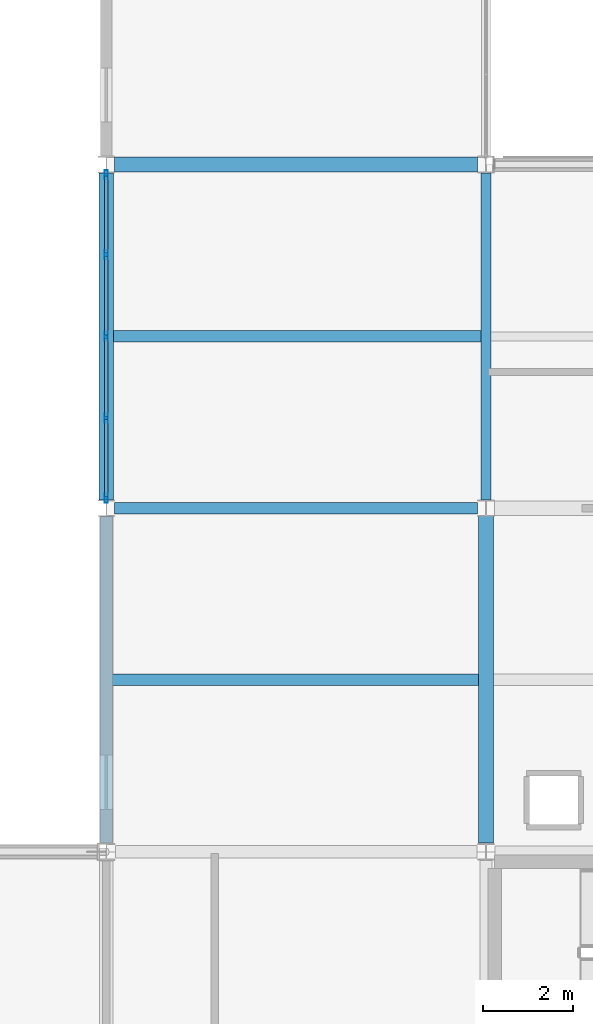
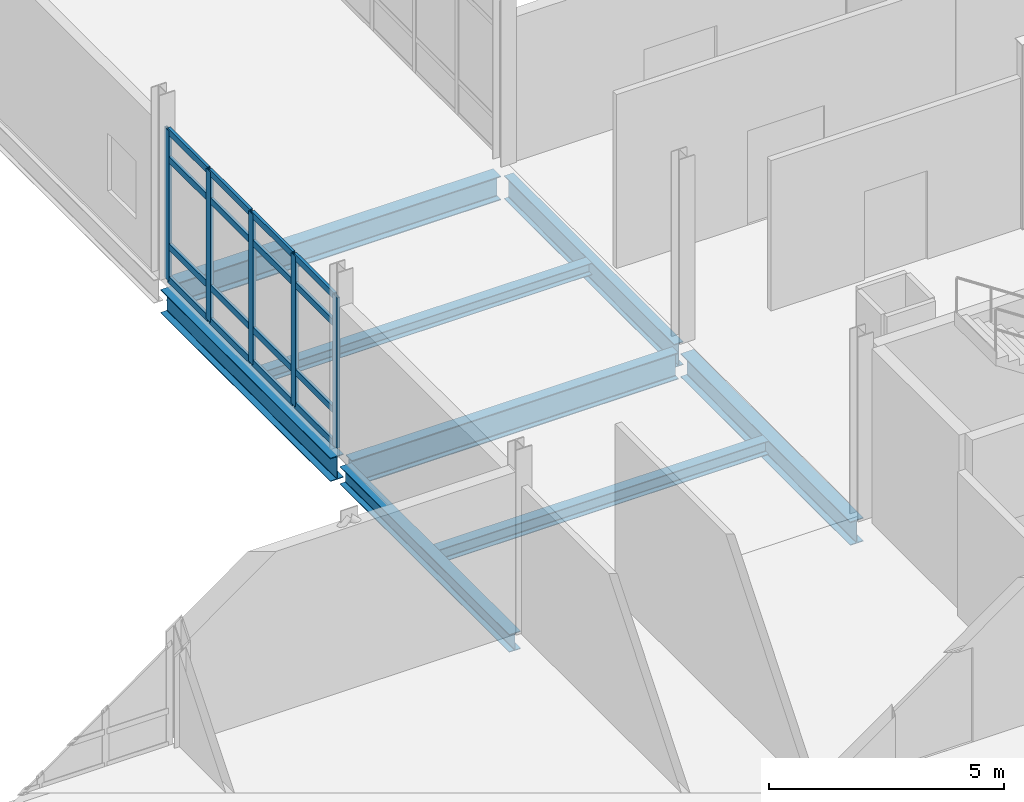
# One storey, part 43 of 186: 21 members, 8 beams, 1 element without a shape of its own.
"""IFC4 building model written with IfcOpenShell, lengths in metres."""

from ifc_helpers import new_model, si_unit, direction, frame, origin, origin_2d, place, context, subcontext, project, spatial, hollow_rectangle, i_section, extrude, material, layer, layer_set, material_profile, profile_set, type_object, element, aggregate, save


model = new_model("IFC4")

# Units and contexts
model_context = context("Model", 3, precision=1e-05, world=origin(), true_north=direction((0.0, 1.0)))
body_context = subcontext(model_context, "Body", "Model", "MODEL_VIEW")
ifc_project = project(units=[si_unit("LENGTHUNIT", "METRE"), si_unit("AREAUNIT", "SQUARE_METRE"), si_unit("VOLUMEUNIT", "CUBIC_METRE"), si_unit("PLANEANGLEUNIT", "RADIAN"), si_unit("MASSUNIT", "GRAM", prefix="KILO")], contexts=[model_context])

# Site, building, storey
site_placement = place(None, origin())
site = spatial("IfcSite", under=ifc_project, at=site_placement, CompositionType="ELEMENT")
building_placement = place(site_placement, origin())
building = spatial("IfcBuilding", under=site, at=building_placement, Name="Calvrana Isthmian Art Gallery", CompositionType="ELEMENT")
storey_placement = place(building_placement, frame((0.0, 0.0, 5.39990234375)))
storey = spatial("IfcBuildingStorey", under=building, at=storey_placement, Name="L01", CompositionType="ELEMENT", Elevation=5.39990234375)

# Beams
ifc_material_1 = material(Name="Steel ASTM A992 Gr 50", Category="steel")
ifc_material_profile_1 = material_profile(ifc_material_1, i_section(OverallWidth=0.279052734375, OverallDepth=0.4619140625, WebThickness=0.0107421875, FlangeThickness=0.017333984375, FilletRadius=0.02001953125, at=origin_2d()), Name="W18X76")
ifc_profile_set_1 = profile_set([ifc_material_profile_1], Name="Steel ASTM A992 Gr 50")
beam_type_1 = type_object("IfcBeamType", Name="BM-G-W18X76", PredefinedType="BEAM", material=ifc_profile_set_1)
beam_1_placement = place(storey_placement, frame((55.199951171875, 47.0029296875, -0.475830078125), z_axis=(0.0, 1.0, 0.0), x_axis=(-1.0, 0.0, 0.0)))
element("IfcBeam", 1, at=beam_1_placement, inside=storey, type_object=beam_type_1, Name="Girder Y L01 08/G-H", PredefinedType="BEAM", context=body_context, shape_type="SweptSolid", body=[
    extrude(i_section(OverallWidth=0.279052734375, OverallDepth=0.4619140625, WebThickness=0.0107421875, FlangeThickness=0.017333984375, FilletRadius=0.02001953125, at=origin_2d()), origin(), (0.0, 0.0, 1.0), 7.215576171875),
])
ifc_material_profile_2 = material_profile(ifc_material_1, i_section(OverallWidth=0.324951171875, OverallDepth=0.612060546875, WebThickness=0.0126953125, FlangeThickness=0.01904296875, FilletRadius=0.02197265625, at=origin_2d()), Name="W24X104")
ifc_profile_set_2 = profile_set([ifc_material_profile_2], Name="Steel ASTM A992 Gr 50")
beam_type_2 = type_object("IfcBeamType", Name="BM-G-W24X104", PredefinedType="BEAM", material=ifc_profile_set_2)
beam_2_placement = place(storey_placement, frame((55.199951171875, 54.58154296875, -0.55078125), z_axis=(0.0, 1.0, 0.0), x_axis=(-1.0, 0.0, 0.0)))
element("IfcBeam", 2, at=beam_2_placement, inside=storey, type_object=beam_type_2, Name="Girder Y L01 08/H-I", PredefinedType="BEAM", context=body_context, shape_type="SweptSolid", body=[
    extrude(i_section(OverallWidth=0.324951171875, OverallDepth=0.612060546875, WebThickness=0.0126953125, FlangeThickness=0.01904296875, FilletRadius=0.02197265625, at=origin_2d()), origin(), (0.0, 0.0, 1.0), 7.234375),
])
beam_3_placement = place(storey_placement, frame((63.60009765625, 46.9970703125, -0.55078125), z_axis=(0.0, 1.0, 0.0), x_axis=(-1.0, 0.0, 0.0)))
element("IfcBeam", 3, at=beam_3_placement, inside=storey, type_object=beam_type_2, Name="Girder Y L01 09/G-H", PredefinedType="BEAM", context=body_context, shape_type="SweptSolid", body=[
    extrude(i_section(OverallWidth=0.324951171875, OverallDepth=0.612060546875, WebThickness=0.0126953125, FlangeThickness=0.01904296875, FilletRadius=0.02197265625, at=origin_2d()), origin(), (0.0, 0.0, 1.0), 7.224853515625),
])
ifc_material_profile_3 = material_profile(ifc_material_1, i_section(OverallWidth=0.327880859375, OverallDepth=0.6220703125, WebThickness=0.015380859375, FlangeThickness=0.0244140625, FilletRadius=0.02197265625, at=origin_2d()), Name="W24X131")
ifc_profile_set_3 = profile_set([ifc_material_profile_3], Name="Steel ASTM A992 Gr 50")
beam_type_3 = type_object("IfcBeamType", Name="BM-G-W24X131", PredefinedType="BEAM", material=ifc_profile_set_3)
beam_4_placement = place(storey_placement, frame((55.386474609375, 62.0, -0.555908203125), z_axis=(1.0, 0.0, 0.0), x_axis=(0.0, 1.0, 0.0)))
element("IfcBeam", 4, at=beam_4_placement, inside=storey, type_object=beam_type_3, Name="Girder X L01 08-09/I", PredefinedType="BEAM", context=body_context, shape_type="SweptSolid", body=[
    extrude(i_section(OverallWidth=0.327880859375, OverallDepth=0.6220703125, WebThickness=0.015380859375, FlangeThickness=0.0244140625, FilletRadius=0.02197265625, at=origin_2d()), origin(), (0.0, 0.0, 1.0), 8.028076171875),
])
ifc_material_profile_4 = material_profile(ifc_material_1, i_section(OverallWidth=0.22802734375, OverallDepth=0.60693359375, WebThickness=0.01123046875, FlangeThickness=0.017333984375, FilletRadius=0.02197265625, at=origin_2d()), Name="W24X76")
ifc_profile_set_4 = profile_set([ifc_material_profile_4], Name="Steel ASTM A992 Gr 50")
beam_type_4 = type_object("IfcBeamType", Name="BM-G-W24X76", PredefinedType="BEAM", material=ifc_profile_set_4)
beam_5_placement = place(storey_placement, frame((63.60009765625, 54.577880859375, -0.54833984375), z_axis=(0.0, 1.0, 0.0), x_axis=(-1.0, 0.0, 0.0)))
element("IfcBeam", 5, at=beam_5_placement, inside=storey, type_object=beam_type_4, Name="Girder Y L01 09/H-I", PredefinedType="BEAM", context=body_context, shape_type="SweptSolid", body=[
    extrude(i_section(OverallWidth=0.22802734375, OverallDepth=0.60693359375, WebThickness=0.01123046875, FlangeThickness=0.017333984375, FilletRadius=0.02197265625, at=origin_2d()), origin(), (0.0, 0.0, 1.0), 7.24072265625),
])
ifc_material_profile_5 = material_profile(ifc_material_1, i_section(OverallWidth=0.257080078125, OverallDepth=0.693115234375, WebThickness=0.014404296875, FlangeThickness=0.023681640625, FilletRadius=0.02392578125, at=origin_2d()), Name="W27X114")
ifc_profile_set_5 = profile_set([ifc_material_profile_5], Name="Steel ASTM A992 Gr 50")
beam_type_5 = type_object("IfcBeamType", Name="BM-G-W27X114", PredefinedType="BEAM", material=ifc_profile_set_5)
beam_6_placement = place(storey_placement, frame((55.385498046875, 54.39990234375, -0.59130859375), z_axis=(1.0, 0.0, 0.0), x_axis=(0.0, 1.0, 0.0)))
element("IfcBeam", 6, at=beam_6_placement, inside=storey, type_object=beam_type_5, Name="Girder X L01 08-09/H", PredefinedType="BEAM", context=body_context, shape_type="SweptSolid", body=[
    extrude(i_section(OverallWidth=0.257080078125, OverallDepth=0.693115234375, WebThickness=0.014404296875, FlangeThickness=0.023681640625, FilletRadius=0.02392578125, at=origin_2d()), origin(), (0.0, 0.0, 1.0), 8.030517578125),
])
ifc_material_profile_6 = material_profile(ifc_material_1, i_section(OverallWidth=0.25390625, OverallDepth=0.306884765625, WebThickness=0.0087890625, FlangeThickness=0.0146484375, FilletRadius=0.01611328125, at=origin_2d()), Name="W12X53")
ifc_profile_set_6 = profile_set([ifc_material_profile_6], Name="Steel ASTM A992 Gr 50")
beam_type_6 = type_object("IfcBeamType", Name="BM-J-W12X53", PredefinedType="JOIST", material=ifc_profile_set_6)
beam_7_placement = place(storey_placement, frame((55.362548828125, 58.199951171875, -0.3984375), z_axis=(1.0, 0.0, 0.0), x_axis=(0.0, 1.0, 0.0)))
element("IfcBeam", 7, at=beam_7_placement, inside=storey, type_object=beam_type_6, Name="Composite joist L01 bay 07-07", PredefinedType="JOIST", context=body_context, shape_type="SweptSolid", body=[
    extrude(i_section(OverallWidth=0.25390625, OverallDepth=0.306884765625, WebThickness=0.0087890625, FlangeThickness=0.0146484375, FilletRadius=0.01611328125, at=origin_2d()), origin(), (0.0, 0.0, 1.0), 8.12353515625),
])
ifc_material_profile_7 = material_profile(ifc_material_1, i_section(OverallWidth=0.25390625, OverallDepth=0.35302734375, WebThickness=0.009521484375, FlangeThickness=0.016357421875, FilletRadius=0.01806640625, at=origin_2d()), Name="W14X61")
ifc_profile_set_7 = profile_set([ifc_material_profile_7], Name="Steel ASTM A992 Gr 50")
beam_type_7 = type_object("IfcBeamType", Name="BM-J-W14X61", PredefinedType="JOIST", material=ifc_profile_set_7)
beam_8_placement = place(storey_placement, frame((55.339599609375, 50.60009765625, -0.42138671875), z_axis=(1.0, 0.0, 0.0), x_axis=(0.0, 1.0, 0.0)))
element("IfcBeam", 8, at=beam_8_placement, inside=storey, type_object=beam_type_7, Name="Composite joist L01 bay 07-06", PredefinedType="JOIST", context=body_context, shape_type="SweptSolid", body=[
    extrude(i_section(OverallWidth=0.25390625, OverallDepth=0.35302734375, WebThickness=0.009521484375, FlangeThickness=0.016357421875, FilletRadius=0.01806640625, at=origin_2d()), origin(), (0.0, 0.0, 1.0), 8.097900390625),
])

# Curtain wall, members
ifc_material_2 = material(Name="Anodized bronze aluminium 6063-T6", Category="aluminium")
ifc_layer = layer(ifc_material_2, 0.179931640625, Name="Anodized bronze aluminium 6063-T6")
ifc_layer_set = layer_set([ifc_layer], Name="Anodized bronze aluminium 6063-T6")
curtain_wall_type = type_object("IfcCurtainWallType", Name="CW-STICK-072X39", PredefinedType="NOTDEFINED", material=ifc_layer_set)
curtain_wall_placement = place(storey_placement, origin())
curtain_wall = element("IfcCurtainWall", 9, at=curtain_wall_placement, inside=storey, type_object=curtain_wall_type, Name="Curtain wall CW-123", PredefinedType="NOTDEFINED")
ifc_material_profile_8 = material_profile(ifc_material_2, hollow_rectangle(XDim=0.070068359375, YDim=0.199951171875, WallThickness=0.0048828125, at=origin_2d()), Name="CWM70X200")
ifc_profile_set_8 = profile_set([ifc_material_profile_8], Name="Anodized bronze aluminium 6063-T6")
member_type_1 = type_object("IfcMemberType", Name="CWM-CWM70X200", PredefinedType="MULLION", material=ifc_profile_set_8)
member_1_placement = place(storey_placement, frame((55.199951171875, 54.618896484375, 0.0), z_axis=(0.0, 0.0, 1.0), x_axis=(-1.0, 0.0, 0.0)))
member_1 = element("IfcMember", 10, at=member_1_placement, type_object=member_type_1, Name="CW-123 mullion 1", PredefinedType="MULLION", context=body_context, shape_type="SweptSolid", body=[
    extrude(hollow_rectangle(XDim=0.070068359375, YDim=0.199951171875, WallThickness=0.0048828125, at=origin_2d()), origin(), (0.0, 0.0, 1.0), 3.9130859375),
])
member_2_placement = place(storey_placement, frame((55.199951171875, 56.391357421875, 0.0), z_axis=(0.0, 0.0, 1.0), x_axis=(-1.0, 0.0, 0.0)))
member_2 = element("IfcMember", 11, at=member_2_placement, type_object=member_type_1, Name="CW-123 mullion 2", PredefinedType="MULLION", context=body_context, shape_type="SweptSolid", body=[
    extrude(hollow_rectangle(XDim=0.070068359375, YDim=0.199951171875, WallThickness=0.0048828125, at=origin_2d()), origin(), (0.0, 0.0, 1.0), 3.9130859375),
])
member_3_placement = place(storey_placement, frame((55.199951171875, 58.19873046875, 0.0), z_axis=(0.0, 0.0, 1.0), x_axis=(-1.0, 0.0, 0.0)))
member_3 = element("IfcMember", 12, at=member_3_placement, type_object=member_type_1, Name="CW-123 mullion 3", PredefinedType="MULLION", context=body_context, shape_type="SweptSolid", body=[
    extrude(hollow_rectangle(XDim=0.070068359375, YDim=0.199951171875, WallThickness=0.0048828125, at=origin_2d()), origin(), (0.0, 0.0, 1.0), 3.9130859375),
])
member_4_placement = place(storey_placement, frame((55.199951171875, 60.006103515625, 0.0), z_axis=(0.0, 0.0, 1.0), x_axis=(-1.0, 0.0, 0.0)))
member_4 = element("IfcMember", 13, at=member_4_placement, type_object=member_type_1, Name="CW-123 mullion 4", PredefinedType="MULLION", context=body_context, shape_type="SweptSolid", body=[
    extrude(hollow_rectangle(XDim=0.070068359375, YDim=0.199951171875, WallThickness=0.0048828125, at=origin_2d()), origin(), (0.0, 0.0, 1.0), 3.9130859375),
])
member_5_placement = place(storey_placement, frame((55.199951171875, 61.778564453125, 0.0), z_axis=(0.0, 0.0, 1.0), x_axis=(-1.0, 0.0, 0.0)))
member_5 = element("IfcMember", 14, at=member_5_placement, type_object=member_type_1, Name="CW-123 mullion 5", PredefinedType="MULLION", context=body_context, shape_type="SweptSolid", body=[
    extrude(hollow_rectangle(XDim=0.070068359375, YDim=0.199951171875, WallThickness=0.0048828125, at=origin_2d()), origin(), (0.0, 0.0, 1.0), 3.9130859375),
])
ifc_material_profile_9 = material_profile(ifc_material_2, hollow_rectangle(XDim=0.070068359375, YDim=0.169921875, WallThickness=0.00439453125, at=origin_2d()), Name="CWT70X170")
ifc_profile_set_9 = profile_set([ifc_material_profile_9], Name="Anodized bronze aluminium 6063-T6")
member_type_2 = type_object("IfcMemberType", Name="CWT-CWT70X170", PredefinedType="USERDEFINED", material=ifc_profile_set_9)
member_6_placement = place(storey_placement, frame((55.199951171875, 54.654052734375, 0.03515625), z_axis=(0.0, 1.0, 0.0), x_axis=(-1.0, 0.0, 0.0)))
member_6 = element("IfcMember", 15, at=member_6_placement, type_object=member_type_2, Name="CW-123 transom 1.1", ObjectType="TRANSOM", PredefinedType="USERDEFINED", context=body_context, shape_type="SweptSolid", body=[
    extrude(hollow_rectangle(XDim=0.070068359375, YDim=0.169921875, WallThickness=0.00439453125, at=origin_2d()), origin(), (0.0, 0.0, 1.0), 1.702392578125),
])
member_7_placement = place(storey_placement, frame((55.199951171875, 54.654052734375, 0.900146484375), z_axis=(0.0, 1.0, 0.0), x_axis=(-1.0, 0.0, 0.0)))
member_7 = element("IfcMember", 16, at=member_7_placement, type_object=member_type_2, Name="CW-123 transom 1.2", ObjectType="TRANSOM", PredefinedType="USERDEFINED", context=body_context, shape_type="SweptSolid", body=[
    extrude(hollow_rectangle(XDim=0.070068359375, YDim=0.169921875, WallThickness=0.00439453125, at=origin_2d()), origin(), (0.0, 0.0, 1.0), 1.702392578125),
])
member_8_placement = place(storey_placement, frame((55.199951171875, 54.654052734375, 3.1630859375), z_axis=(0.0, 1.0, 0.0), x_axis=(-1.0, 0.0, 0.0)))
member_8 = element("IfcMember", 17, at=member_8_placement, type_object=member_type_2, Name="CW-123 transom 1.3", ObjectType="TRANSOM", PredefinedType="USERDEFINED", context=body_context, shape_type="SweptSolid", body=[
    extrude(hollow_rectangle(XDim=0.070068359375, YDim=0.169921875, WallThickness=0.00439453125, at=origin_2d()), origin(), (0.0, 0.0, 1.0), 1.702392578125),
])
member_9_placement = place(storey_placement, frame((55.199951171875, 54.654052734375, 3.878173828125), z_axis=(0.0, 1.0, 0.0), x_axis=(-1.0, 0.0, 0.0)))
member_9 = element("IfcMember", 18, at=member_9_placement, type_object=member_type_2, Name="CW-123 transom 1.4", ObjectType="TRANSOM", PredefinedType="USERDEFINED", context=body_context, shape_type="SweptSolid", body=[
    extrude(hollow_rectangle(XDim=0.070068359375, YDim=0.169921875, WallThickness=0.00439453125, at=origin_2d()), origin(), (0.0, 0.0, 1.0), 1.702392578125),
])
member_10_placement = place(storey_placement, frame((55.199951171875, 56.42626953125, 0.03515625), z_axis=(0.0, 1.0, 0.0), x_axis=(-1.0, 0.0, 0.0)))
member_10 = element("IfcMember", 19, at=member_10_placement, type_object=member_type_2, Name="CW-123 transom 2.1", ObjectType="TRANSOM", PredefinedType="USERDEFINED", context=body_context, shape_type="SweptSolid", body=[
    extrude(hollow_rectangle(XDim=0.070068359375, YDim=0.169921875, WallThickness=0.00439453125, at=origin_2d()), origin(), (0.0, 0.0, 1.0), 1.737548828125),
])
member_11_placement = place(storey_placement, frame((55.199951171875, 56.42626953125, 0.900146484375), z_axis=(0.0, 1.0, 0.0), x_axis=(-1.0, 0.0, 0.0)))
member_11 = element("IfcMember", 20, at=member_11_placement, type_object=member_type_2, Name="CW-123 transom 2.2", ObjectType="TRANSOM", PredefinedType="USERDEFINED", context=body_context, shape_type="SweptSolid", body=[
    extrude(hollow_rectangle(XDim=0.070068359375, YDim=0.169921875, WallThickness=0.00439453125, at=origin_2d()), origin(), (0.0, 0.0, 1.0), 1.737548828125),
])
member_12_placement = place(storey_placement, frame((55.199951171875, 56.42626953125, 3.1630859375), z_axis=(0.0, 1.0, 0.0), x_axis=(-1.0, 0.0, 0.0)))
member_12 = element("IfcMember", 21, at=member_12_placement, type_object=member_type_2, Name="CW-123 transom 2.3", ObjectType="TRANSOM", PredefinedType="USERDEFINED", context=body_context, shape_type="SweptSolid", body=[
    extrude(hollow_rectangle(XDim=0.070068359375, YDim=0.169921875, WallThickness=0.00439453125, at=origin_2d()), origin(), (0.0, 0.0, 1.0), 1.737548828125),
])
member_13_placement = place(storey_placement, frame((55.199951171875, 56.42626953125, 3.878173828125), z_axis=(0.0, 1.0, 0.0), x_axis=(-1.0, 0.0, 0.0)))
member_13 = element("IfcMember", 22, at=member_13_placement, type_object=member_type_2, Name="CW-123 transom 2.4", ObjectType="TRANSOM", PredefinedType="USERDEFINED", context=body_context, shape_type="SweptSolid", body=[
    extrude(hollow_rectangle(XDim=0.070068359375, YDim=0.169921875, WallThickness=0.00439453125, at=origin_2d()), origin(), (0.0, 0.0, 1.0), 1.737548828125),
])
member_14_placement = place(storey_placement, frame((55.199951171875, 58.233642578125, 0.03515625), z_axis=(0.0, 1.0, 0.0), x_axis=(-1.0, 0.0, 0.0)))
member_14 = element("IfcMember", 23, at=member_14_placement, type_object=member_type_2, Name="CW-123 transom 3.1", ObjectType="TRANSOM", PredefinedType="USERDEFINED", context=body_context, shape_type="SweptSolid", body=[
    extrude(hollow_rectangle(XDim=0.070068359375, YDim=0.169921875, WallThickness=0.00439453125, at=origin_2d()), origin(), (0.0, 0.0, 1.0), 1.737548828125),
])
member_15_placement = place(storey_placement, frame((55.199951171875, 58.233642578125, 0.900146484375), z_axis=(0.0, 1.0, 0.0), x_axis=(-1.0, 0.0, 0.0)))
member_15 = element("IfcMember", 24, at=member_15_placement, type_object=member_type_2, Name="CW-123 transom 3.2", ObjectType="TRANSOM", PredefinedType="USERDEFINED", context=body_context, shape_type="SweptSolid", body=[
    extrude(hollow_rectangle(XDim=0.070068359375, YDim=0.169921875, WallThickness=0.00439453125, at=origin_2d()), origin(), (0.0, 0.0, 1.0), 1.737548828125),
])
member_16_placement = place(storey_placement, frame((55.199951171875, 58.233642578125, 3.1630859375), z_axis=(0.0, 1.0, 0.0), x_axis=(-1.0, 0.0, 0.0)))
member_16 = element("IfcMember", 25, at=member_16_placement, type_object=member_type_2, Name="CW-123 transom 3.3", ObjectType="TRANSOM", PredefinedType="USERDEFINED", context=body_context, shape_type="SweptSolid", body=[
    extrude(hollow_rectangle(XDim=0.070068359375, YDim=0.169921875, WallThickness=0.00439453125, at=origin_2d()), origin(), (0.0, 0.0, 1.0), 1.737548828125),
])
member_17_placement = place(storey_placement, frame((55.199951171875, 58.233642578125, 3.878173828125), z_axis=(0.0, 1.0, 0.0), x_axis=(-1.0, 0.0, 0.0)))
member_17 = element("IfcMember", 26, at=member_17_placement, type_object=member_type_2, Name="CW-123 transom 3.4", ObjectType="TRANSOM", PredefinedType="USERDEFINED", context=body_context, shape_type="SweptSolid", body=[
    extrude(hollow_rectangle(XDim=0.070068359375, YDim=0.169921875, WallThickness=0.00439453125, at=origin_2d()), origin(), (0.0, 0.0, 1.0), 1.737548828125),
])
member_18_placement = place(storey_placement, frame((55.199951171875, 60.041015625, 0.03515625), z_axis=(0.0, 1.0, 0.0), x_axis=(-1.0, 0.0, 0.0)))
member_18 = element("IfcMember", 27, at=member_18_placement, type_object=member_type_2, Name="CW-123 transom 4.1", ObjectType="TRANSOM", PredefinedType="USERDEFINED", context=body_context, shape_type="SweptSolid", body=[
    extrude(hollow_rectangle(XDim=0.070068359375, YDim=0.169921875, WallThickness=0.00439453125, at=origin_2d()), origin(), (0.0, 0.0, 1.0), 1.702392578125),
])
member_19_placement = place(storey_placement, frame((55.199951171875, 60.041015625, 0.900146484375), z_axis=(0.0, 1.0, 0.0), x_axis=(-1.0, 0.0, 0.0)))
member_19 = element("IfcMember", 28, at=member_19_placement, type_object=member_type_2, Name="CW-123 transom 4.2", ObjectType="TRANSOM", PredefinedType="USERDEFINED", context=body_context, shape_type="SweptSolid", body=[
    extrude(hollow_rectangle(XDim=0.070068359375, YDim=0.169921875, WallThickness=0.00439453125, at=origin_2d()), origin(), (0.0, 0.0, 1.0), 1.702392578125),
])
member_20_placement = place(storey_placement, frame((55.199951171875, 60.041015625, 3.1630859375), z_axis=(0.0, 1.0, 0.0), x_axis=(-1.0, 0.0, 0.0)))
member_20 = element("IfcMember", 29, at=member_20_placement, type_object=member_type_2, Name="CW-123 transom 4.3", ObjectType="TRANSOM", PredefinedType="USERDEFINED", context=body_context, shape_type="SweptSolid", body=[
    extrude(hollow_rectangle(XDim=0.070068359375, YDim=0.169921875, WallThickness=0.00439453125, at=origin_2d()), origin(), (0.0, 0.0, 1.0), 1.702392578125),
])
member_21_placement = place(storey_placement, frame((55.199951171875, 60.041015625, 3.878173828125), z_axis=(0.0, 1.0, 0.0), x_axis=(-1.0, 0.0, 0.0)))
member_21 = element("IfcMember", 30, at=member_21_placement, type_object=member_type_2, Name="CW-123 transom 4.4", ObjectType="TRANSOM", PredefinedType="USERDEFINED", context=body_context, shape_type="SweptSolid", body=[
    extrude(hollow_rectangle(XDim=0.070068359375, YDim=0.169921875, WallThickness=0.00439453125, at=origin_2d()), origin(), (0.0, 0.0, 1.0), 1.702392578125),
])
aggregate(curtain_wall, [member_1, member_2, member_3, member_4, member_5, member_6, member_7, member_8, member_9, member_10, member_11, member_12, member_13, member_14, member_15, member_16, member_17, member_18, member_19, member_20, member_21])

save(model, "model.ifc")
